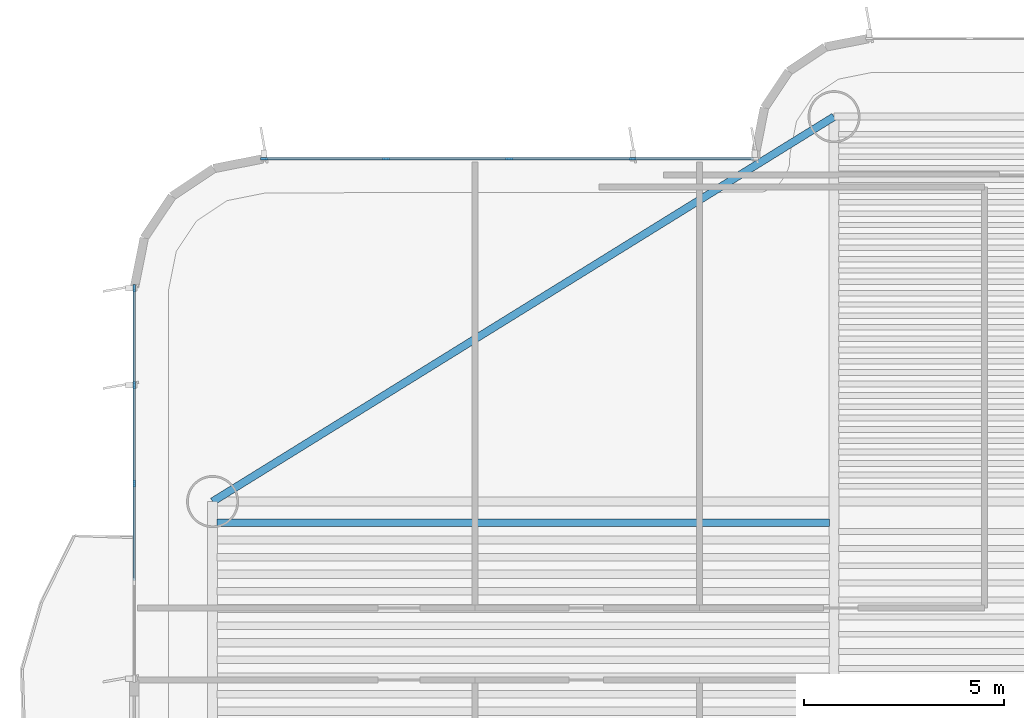
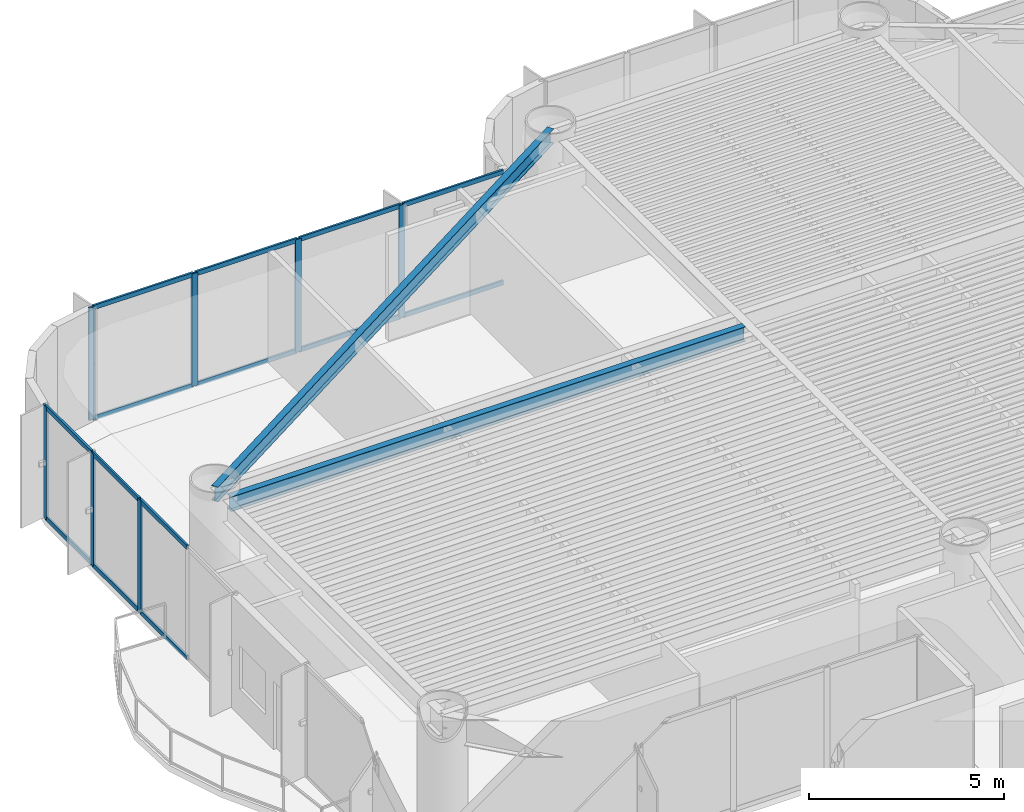
# One storey, part 5 of 16: 21 members, 2 beams, 2 elements without a shape of their own.
"""IFC4 building model written with IfcOpenShell, lengths in metres."""

import ifcopenshell
import ifcopenshell.guid

model = None  # the IFC model being written
_history = None  # IfcOwnerHistory: only IFC2X3 demands one
_inside = {}  # id of a spatial element -> (the spatial element, [elements in it])
_under = {}  # id of a project, library or spatial element -> (it, [spatial elements below it])
_declared = {}  # id of a project -> (the project, [libraries it declares])
_typed = {}  # id of a type object -> (the type object, [elements of that type])
_made_of = {}  # id of a material, layer set ... -> (it, [elements and type objects made of it])


def new_model(schema):
    """Start an empty IFC model of exactly this schema.

    Asked for "IFC4X3", IfcOpenShell would pick the latest addendum, in which some entities
    have other attributes; the version numbers below select the first issue.
    IFC2X3 requires an IfcOwnerHistory on every rooted entity: one is made here for all.
    """
    global model, _history
    if schema == "IFC4X3":
        model = ifcopenshell.file(schema_version=(4, 3, 0, 0))
    else:
        model = ifcopenshell.file(schema=schema)
    _inside.clear()
    _under.clear()
    _declared.clear()
    _typed.clear()
    _made_of.clear()
    _history = None
    if model.schema == "IFC2X3":
        org = make("IfcOrganization", Name="unknown")
        user = make(
            "IfcPersonAndOrganization",
            ThePerson=make("IfcPerson", FamilyName="unknown"),
            TheOrganization=org,
        )
        app = make(
            "IfcApplication",
            ApplicationDeveloper=org,
            Version="unknown",
            ApplicationFullName="unknown",
            ApplicationIdentifier="unknown",
        )
        _history = make(
            "IfcOwnerHistory",
            OwningUser=user,
            OwningApplication=app,
            ChangeAction="ADDED",
            CreationDate=0,
        )
    return model


def make(cls, **values):
    """One entity of the class cls with the attributes given. An attribute that is None is left unset."""
    return model.create_entity(
        cls, **{name: value for name, value in values.items() if value is not None}
    )


def rooted(cls, **values):
    """An entity with a GlobalId (a new one), such as an element, a storey or a relation."""
    return make(cls, GlobalId=ifcopenshell.guid.new(), OwnerHistory=_history, **values)


def si_unit(unit_type, name, prefix=None):
    """IfcSIUnit, for example si_unit("LENGTHUNIT", "METRE", prefix="MILLI")."""
    return make("IfcSIUnit", UnitType=unit_type, Prefix=prefix, Name=name)


def assignment(units):
    """IfcUnitAssignment: the units of a project."""
    return None if units is None else make("IfcUnitAssignment", Units=units)


def point(xyz):
    """IfcCartesianPoint."""
    return None if xyz is None else make("IfcCartesianPoint", Coordinates=xyz)


def direction(xyz):
    """IfcDirection."""
    return None if xyz is None else make("IfcDirection", DirectionRatios=xyz)


def frame(location, z_axis=None, x_axis=None):
    """IfcAxis2Placement3D, a coordinate frame: its origin and axes. An axis left out is left unset."""
    return make(
        "IfcAxis2Placement3D",
        Location=point(location),
        Axis=direction(z_axis),
        RefDirection=direction(x_axis),
    )


def frame_2d(location, x_axis=None):
    """IfcAxis2Placement2D, a coordinate frame in the plane: its origin and x axis."""
    return make(
        "IfcAxis2Placement2D", Location=point(location), RefDirection=direction(x_axis)
    )


def origin():
    """The frame at (0, 0, 0) with its axes left unset."""
    return frame((0.0, 0.0, 0.0))


def origin_2d():
    """The frame at (0, 0) in the plane with its x axis left unset."""
    return frame_2d((0.0, 0.0))


def place(relative_to, where):
    """IfcLocalPlacement: puts the frame where relative to a parent placement (None: the world)."""
    return make(
        "IfcLocalPlacement", PlacementRelTo=relative_to, RelativePlacement=where
    )


def context(
    kind, dimensions, precision=None, world=None, true_north=None, identifier=None
):
    """IfcGeometricRepresentationContext, for example the 3D "Model" context."""
    return make(
        "IfcGeometricRepresentationContext",
        ContextIdentifier=identifier,
        ContextType=kind,
        CoordinateSpaceDimension=dimensions,
        Precision=precision,
        WorldCoordinateSystem=world,
        TrueNorth=true_north,
    )


def subcontext(parent, identifier, kind, view, scale=None):
    """IfcGeometricRepresentationSubContext, for example "Body" below "Model"."""
    return make(
        "IfcGeometricRepresentationSubContext",
        ContextIdentifier=identifier,
        ContextType=kind,
        ParentContext=parent,
        TargetScale=scale,
        TargetView=view,
    )


def project(units=None, contexts=None):
    """IfcProject with its units and contexts."""
    return rooted(
        "IfcProject",
        Name="project",
        RepresentationContexts=contexts,
        UnitsInContext=assignment(units),
    )


def spatial(cls, under=None, at=None, **own):
    """A site, building, storey or space (cls), placed at a placement, below another one or the project."""
    s = rooted(cls, ObjectPlacement=at, **own)
    if under is not None:
        _under.setdefault(under.id(), (under, []))[1].append(s)
    return s


def profile(cls, at=None, kind="AREA", **sizes):
    """A parametric profile (cls). Its sizes go by their IFC names, for example OverallWidth=200.0."""
    return make(cls, ProfileType=kind, Position=at, **sizes)


def rectangle(**sizes):
    """IfcRectangleProfileDef."""
    return profile("IfcRectangleProfileDef", **sizes)


def i_section(**sizes):
    """IfcIShapeProfileDef."""
    return profile("IfcIShapeProfileDef", **sizes)


def extrude(swept, where, along, depth):
    """IfcExtrudedAreaSolid: the profile swept, set in the frame where, extruded along a direction by depth."""
    return make(
        "IfcExtrudedAreaSolid",
        SweptArea=swept,
        Position=where,
        ExtrudedDirection=direction(along),
        Depth=depth,
    )


def shape(context_of_items, identifier, shape_type, items):
    """IfcShapeRepresentation: the items that make up one representation, for example the "Body"."""
    return make(
        "IfcShapeRepresentation",
        ContextOfItems=context_of_items,
        RepresentationIdentifier=identifier,
        RepresentationType=shape_type,
        Items=items,
    )


def source(mapping_origin, context_of_items, identifier, shape_type, items):
    """IfcRepresentationMap: a shape defined once, which mapped items show again and again."""
    return make(
        "IfcRepresentationMap",
        MappingOrigin=mapping_origin,
        MappedRepresentation=shape(context_of_items, identifier, shape_type, items),
    )


def transform(
    local_origin,
    x_axis=None,
    y_axis=None,
    z_axis=None,
    scale=None,
    scale2=None,
    scale3=None,
    uniform=True,
):
    """IfcCartesianTransformationOperator3D, or its non-uniform kind. x_axis, y_axis, z_axis: its Axis1, 2, 3."""
    if uniform:
        return make(
            "IfcCartesianTransformationOperator3D",
            Axis1=direction(x_axis),
            Axis2=direction(y_axis),
            LocalOrigin=point(local_origin),
            Scale=scale,
            Axis3=direction(z_axis),
        )
    return make(
        "IfcCartesianTransformationOperator3DnonUniform",
        Axis1=direction(x_axis),
        Axis2=direction(y_axis),
        LocalOrigin=point(local_origin),
        Scale=scale,
        Axis3=direction(z_axis),
        Scale2=scale2,
        Scale3=scale3,
    )


def mapped(mapping_source, mapping_target):
    """IfcMappedItem: shows the shape of a source again, moved by a transform."""
    return make(
        "IfcMappedItem", MappingSource=mapping_source, MappingTarget=mapping_target
    )


def material(Name=None, Category=None):
    """IfcMaterial."""
    return make("IfcMaterial", Name=Name, Category=Category)


def layer(
    of_material, thickness, ventilated=None, Name=None, Category=None, Priority=None
):
    """IfcMaterialLayer: one layer of a wall or slab, of a material (None: an air gap)."""
    return make(
        "IfcMaterialLayer",
        Material=of_material,
        LayerThickness=thickness,
        IsVentilated=ventilated,
        Name=Name,
        Category=Category,
        Priority=Priority,
    )


def layer_set(layers, Name=None):
    """IfcMaterialLayerSet."""
    return make("IfcMaterialLayerSet", MaterialLayers=layers, LayerSetName=Name)


def material_profile(
    of_material, cross_section, Name=None, Category=None, Priority=None
):
    """IfcMaterialProfile: a cross section and its material."""
    return make(
        "IfcMaterialProfile",
        Name=Name,
        Material=of_material,
        Profile=cross_section,
        Priority=Priority,
        Category=Category,
    )


def profile_set(profiles, Name=None, composite=None):
    """IfcMaterialProfileSet."""
    return make(
        "IfcMaterialProfileSet",
        Name=Name,
        MaterialProfiles=profiles,
        CompositeProfile=composite,
    )


def made_of(thing, what):
    """Note that an element or type object is made of a material, layer set ...; save() writes the relation."""
    if what is not None:
        _made_of.setdefault(what.id(), (what, []))[1].append(thing)
    return thing


def type_object(cls, material=None, **own):
    """A type object (cls), such as IfcWallType, which elements share."""
    return made_of(rooted(cls, **own), material)


def element(
    cls,
    number,
    at=None,
    inside=None,
    cuts=None,
    type_object=None,
    material=None,
    context=None,
    identifier="Body",
    shape_type=None,
    held_by="IfcProductDefinitionShape",
    body=None,
    shapes=None,
    **own,
):
    """One element of the class cls, such as IfcWall. Its Tag is "e" and its number.

    at: its placement. inside: the storey or other place that contains it. cuts: it is an
    opening in that element (IfcRelVoidsElement). A single representation is given by context,
    identifier, shape_type and body (its items); several are given by shapes. held_by: the class
    of the entity that holds the representations. save() writes the other relations.
    """
    e = rooted(cls, Tag="e%d" % number, ObjectPlacement=at, **own)
    if body is not None:
        shapes = [shape(context, identifier, shape_type, body)]
    if shapes is not None:
        e.Representation = make(held_by, Representations=shapes)
    if inside is not None:
        _inside.setdefault(inside.id(), (inside, []))[1].append(e)
    if cuts is not None:
        rooted(
            "IfcRelVoidsElement", RelatingBuildingElement=cuts, RelatedOpeningElement=e
        )
    if type_object is not None:
        _typed.setdefault(type_object.id(), (type_object, []))[1].append(e)
    return made_of(e, material)


def aggregate(whole, parts):
    """IfcRelAggregates: a whole, such as a stair, and the parts it consists of."""
    return rooted("IfcRelAggregates", RelatingObject=whole, RelatedObjects=parts)


def save(model, path):
    """Write the relations noted so far, then the file.

    IfcRelAggregates (storeys below a building ...), IfcRelContainedInSpatialStructure (elements
    in a storey), IfcRelDefinesByType, IfcRelAssociatesMaterial and IfcRelDeclares: one each for
    every whole, place, type object, material and project.
    """
    for whole, parts in _under.values():
        aggregate(whole, parts)
    for where, things in _inside.values():
        rooted(
            "IfcRelContainedInSpatialStructure",
            RelatedElements=things,
            RelatingStructure=where,
        )
    for kind, things in _typed.values():
        rooted("IfcRelDefinesByType", RelatedObjects=things, RelatingType=kind)
    for what, things in _made_of.values():
        rooted("IfcRelAssociatesMaterial", RelatedObjects=things, RelatingMaterial=what)
    for by, libraries in _declared.values():
        rooted("IfcRelDeclares", RelatingContext=by, RelatedDefinitions=libraries)
    model.write(path)


model = new_model("IFC4")

# Units and contexts
model_context = context("Model", 3, precision=1e-05, world=origin(), true_north=direction((0.0, 1.0)))
body_context = subcontext(model_context, "Body", "Model", "MODEL_VIEW")
ifc_project = project(units=[si_unit("LENGTHUNIT", "METRE"), si_unit("AREAUNIT", "SQUARE_METRE"), si_unit("VOLUMEUNIT", "CUBIC_METRE"), si_unit("PLANEANGLEUNIT", "RADIAN"), si_unit("MASSUNIT", "GRAM", prefix="KILO")], contexts=[model_context])

# Site, building, storey
site_placement = place(None, origin())
site = spatial("IfcSite", under=ifc_project, at=site_placement, CompositionType="ELEMENT")
building_placement = place(site_placement, origin())
building = spatial("IfcBuilding", under=site, at=building_placement, Name="Brelvock Crest Care Tower", CompositionType="ELEMENT")
storey_placement = place(building_placement, frame((0.0, 0.0, 120.06005859375)))
storey = spatial("IfcBuildingStorey", under=building, at=storey_placement, Name="L30", CompositionType="ELEMENT", Elevation=120.06005859375)

# Beams
ifc_material_1 = material(Name="Steel Grade 350", Category="steel")
ifc_material_profile_1 = material_profile(ifc_material_1, i_section(OverallWidth=0.19091796875, OverallDepth=0.4599609375, WebThickness=0.010009765625, FlangeThickness=0.01611328125, FilletRadius=0.011474609375, at=origin_2d()), Name="460UB82.1")
ifc_profile_set_1 = profile_set([ifc_material_profile_1], Name="Steel Grade 350")
beam_type_1 = type_object("IfcBeamType", Name="BM-G3", PredefinedType="BEAM", material=ifc_profile_set_1)
shared_shape_1 = source(origin(), body_context, "Body", "SweptSolid", [
    extrude(i_section(OverallWidth=0.19091796875, OverallDepth=0.4599609375, WebThickness=0.010009765625, FlangeThickness=0.01611328125, FilletRadius=0.011474609375, at=origin_2d()), origin(), (0.0, 0.0, 1.0), 15.27001953125),
])
beam_1_placement = place(storey_placement, frame((15.965087890625, 38.317626953125, 3.300048828125), z_axis=(1.0, 0.0, 0.0), x_axis=(0.0, 1.0, 0.0)))
element("IfcBeam", 1, at=beam_1_placement, inside=storey, type_object=beam_type_1, Name="BM-JW-L30-26", PredefinedType="BEAM", context=body_context, shape_type="MappedRepresentation", body=[
    mapped(shared_shape_1, transform((0.0, 0.0, 0.0), x_axis=(1.0, 0.0, 0.0), y_axis=(0.0, 1.0, 0.0), z_axis=(0.0, 0.0, 1.0), scale=1.0)),
])
ifc_material_profile_2 = material_profile(ifc_material_1, i_section(OverallWidth=0.19091796875, OverallDepth=0.4599609375, WebThickness=0.010009765625, FlangeThickness=0.01611328125, FilletRadius=0.011474609375, at=origin_2d()), Name="460UB82.1")
ifc_profile_set_2 = profile_set([ifc_material_profile_2], Name="Steel Grade 350")
beam_type_2 = type_object("IfcBeamType", Name="BM-SP2", PredefinedType="SPANDREL", material=ifc_profile_set_2)
shared_shape_2 = source(origin(), body_context, "Body", "SweptSolid", [
    extrude(i_section(OverallWidth=0.19091796875, OverallDepth=0.4599609375, WebThickness=0.010009765625, FlangeThickness=0.01611328125, FilletRadius=0.011474609375, at=origin_2d()), origin(), (0.0, 0.0, 1.0), 18.23193359375),
])
beam_2_placement = place(storey_placement, frame((15.85009765625, 38.85009765625, 3.300048828125), z_axis=(0.85015183248, 0.526537616635, 0.0), x_axis=(-0.526537616635, 0.85015183248, 0.0)))
element("IfcBeam", 2, at=beam_2_placement, inside=storey, type_object=beam_type_2, Name="BM-TWR-L30-06", PredefinedType="SPANDREL", context=body_context, shape_type="MappedRepresentation", body=[
    mapped(shared_shape_2, transform((0.0, 0.0, 0.0), x_axis=(1.0, 0.0, 0.0), y_axis=(0.0, 1.0, 0.0), z_axis=(0.0, 0.0, 1.0), scale=1.0)),
])

# Curtain wall, members
ifc_material_2 = material(Name="Dark Glass Double Glazed Low-E", Category="glass")
ifc_layer = layer(ifc_material_2, 0.2099609375, Name="CWS-3")
ifc_layer_set = layer_set([ifc_layer], Name="Dark Glass Double Glazed Low-E")
curtain_wall_type = type_object("IfcCurtainWallType", Name="CWS-3", PredefinedType="NOTDEFINED", material=ifc_layer_set)
curtain_wall_1_placement = place(storey_placement, origin())
curtain_wall_1 = element("IfcCurtainWall", 3, at=curtain_wall_1_placement, inside=storey, type_object=curtain_wall_type, Name="L30 Curtain Wall E17B", PredefinedType="NOTDEFINED")
ifc_material_3 = material(Name="Aluminium 6063-T6", Category="aluminium")
ifc_material_profile_3 = material_profile(ifc_material_3, rectangle(XDim=0.06005859375, YDim=0.179931640625, at=origin_2d()), Name="ALU60x180")
ifc_profile_set_3 = profile_set([ifc_material_profile_3], Name="Aluminium 6063-T6")
member_type_1 = type_object("IfcMemberType", Name="CWM-2", PredefinedType="MULLION", material=ifc_profile_set_3)
shared_shape_3 = source(origin(), body_context, "Body", "SweptSolid", [
    extrude(rectangle(XDim=0.06005859375, YDim=0.179931640625, at=origin_2d()), origin(), (0.0, 0.0, 1.0), 3.530029296875),
])
member_1_placement = place(storey_placement, frame((13.89990234375, 39.300048828125, 0.0), z_axis=(0.0, 0.0, 1.0), x_axis=(-1.0, 0.0, 0.0)))
member_1 = element("IfcMember", 4, at=member_1_placement, type_object=member_type_1, Name="CW-3 mullion 3", PredefinedType="MULLION", context=body_context, shape_type="MappedRepresentation", body=[
    mapped(shared_shape_3, transform((0.0, 0.0, 0.0), x_axis=(1.0, 0.0, 0.0), y_axis=(0.0, 1.0, 0.0), z_axis=(0.0, 0.0, 1.0), scale=1.0)),
])
member_2_placement = place(storey_placement, frame((13.89990234375, 41.75, 0.0), z_axis=(0.0, 0.0, 1.0), x_axis=(-1.0, 0.0, 0.0)))
member_2 = element("IfcMember", 5, at=member_2_placement, type_object=member_type_1, Name="CW-3 mullion 4", PredefinedType="MULLION", context=body_context, shape_type="MappedRepresentation", body=[
    mapped(shared_shape_3, transform((0.0, 0.0, 0.0), x_axis=(1.0, 0.0, 0.0), y_axis=(0.0, 1.0, 0.0), z_axis=(0.0, 0.0, 1.0), scale=1.0)),
])
member_3_placement = place(storey_placement, frame((13.89990234375, 44.169921875, 0.0), z_axis=(0.0, 0.0, 1.0), x_axis=(-1.0, 0.0, 0.0)))
member_3 = element("IfcMember", 6, at=member_3_placement, type_object=member_type_1, Name="CW-3 mullion 5", PredefinedType="MULLION", context=body_context, shape_type="MappedRepresentation", body=[
    mapped(shared_shape_3, transform((0.0, 0.0, 0.0), x_axis=(1.0, 0.0, 0.0), y_axis=(0.0, 1.0, 0.0), z_axis=(0.0, 0.0, 1.0), scale=1.0)),
])

curtain_wall_2_placement = place(storey_placement, origin())
curtain_wall_2 = element("IfcCurtainWall", 7, at=curtain_wall_2_placement, inside=storey, type_object=curtain_wall_type, Name="L30 Curtain Wall E22", PredefinedType="NOTDEFINED")
member_4_placement = place(storey_placement, frame((17.1298828125, 47.39990234375, 0.0), z_axis=(0.0, 0.0, 1.0), x_axis=(0.0, 1.0, 0.0)))
member_4 = element("IfcMember", 8, at=member_4_placement, type_object=member_type_1, Name="CW-3 mullion 1", PredefinedType="MULLION", context=body_context, shape_type="MappedRepresentation", body=[
    mapped(shared_shape_3, transform((0.0, 0.0, 0.0), x_axis=(1.0, 0.0, 0.0), y_axis=(0.0, 1.0, 0.0), z_axis=(0.0, 0.0, 1.0), scale=1.0)),
])
member_5_placement = place(storey_placement, frame((20.175048828125, 47.39990234375, 0.0), z_axis=(0.0, 0.0, 1.0), x_axis=(0.0, 1.0, 0.0)))
member_5 = element("IfcMember", 9, at=member_5_placement, type_object=member_type_1, Name="CW-3 mullion 2", PredefinedType="MULLION", context=body_context, shape_type="MappedRepresentation", body=[
    mapped(shared_shape_3, transform((0.0, 0.0, 0.0), x_axis=(1.0, 0.0, 0.0), y_axis=(0.0, 1.0, 0.0), z_axis=(0.0, 0.0, 1.0), scale=1.0)),
])
member_6_placement = place(storey_placement, frame((23.25, 47.39990234375, 0.0), z_axis=(0.0, 0.0, 1.0), x_axis=(0.0, 1.0, 0.0)))
member_6 = element("IfcMember", 10, at=member_6_placement, type_object=member_type_1, Name="CW-3 mullion 3", PredefinedType="MULLION", context=body_context, shape_type="MappedRepresentation", body=[
    mapped(shared_shape_3, transform((0.0, 0.0, 0.0), x_axis=(1.0, 0.0, 0.0), y_axis=(0.0, 1.0, 0.0), z_axis=(0.0, 0.0, 1.0), scale=1.0)),
])
member_7_placement = place(storey_placement, frame((26.324951171875, 47.39990234375, 0.0), z_axis=(0.0, 0.0, 1.0), x_axis=(0.0, 1.0, 0.0)))
member_7 = element("IfcMember", 11, at=member_7_placement, type_object=member_type_1, Name="CW-3 mullion 4", PredefinedType="MULLION", context=body_context, shape_type="MappedRepresentation", body=[
    mapped(shared_shape_3, transform((0.0, 0.0, 0.0), x_axis=(1.0, 0.0, 0.0), y_axis=(0.0, 1.0, 0.0), z_axis=(0.0, 0.0, 1.0), scale=1.0)),
])
ifc_material_profile_4 = material_profile(ifc_material_3, rectangle(XDim=0.06005859375, YDim=0.139892578125, at=origin_2d()), Name="ALU60x140")
ifc_profile_set_4 = profile_set([ifc_material_profile_4], Name="Aluminium 6063-T6")
member_type_2 = type_object("IfcMemberType", Name="CWT-2", PredefinedType="USERDEFINED", material=ifc_profile_set_4)
shared_shape_4 = source(origin(), body_context, "Body", "SweptSolid", [
    extrude(rectangle(XDim=0.06005859375, YDim=0.139892578125, at=origin_2d()), origin(), (0.0, 0.0, 1.0), 2.985107421875),
])
member_8_placement = place(storey_placement, frame((17.159912109375, 47.39990234375, 0.030029296875), z_axis=(1.0, 0.0, 0.0), x_axis=(0.0, 1.0, 0.0)))
member_8 = element("IfcMember", 12, at=member_8_placement, type_object=member_type_2, Name="CW-3 transom 1.1", ObjectType="TRANSOM", PredefinedType="USERDEFINED", context=body_context, shape_type="MappedRepresentation", body=[
    mapped(shared_shape_4, transform((0.0, 0.0, 0.0), x_axis=(1.0, 0.0, 0.0), y_axis=(0.0, 1.0, 0.0), z_axis=(0.0, 0.0, 1.0), scale=1.0)),
])
member_9_placement = place(storey_placement, frame((17.159912109375, 47.39990234375, 3.5), z_axis=(1.0, 0.0, 0.0), x_axis=(0.0, 1.0, 0.0)))
member_9 = element("IfcMember", 13, at=member_9_placement, type_object=member_type_2, Name="CW-3 transom 1.2", ObjectType="TRANSOM", PredefinedType="USERDEFINED", context=body_context, shape_type="MappedRepresentation", body=[
    mapped(shared_shape_4, transform((0.0, 0.0, 0.0), x_axis=(1.0, 0.0, 0.0), y_axis=(0.0, 1.0, 0.0), z_axis=(0.0, 0.0, 1.0), scale=1.0)),
])
member_10_placement = place(storey_placement, frame((26.35498046875, 47.39990234375, 0.030029296875), z_axis=(1.0, 0.0, 0.0), x_axis=(0.0, 1.0, 0.0)))
member_10 = element("IfcMember", 14, at=member_10_placement, type_object=member_type_2, Name="CW-3 transom 4.1", ObjectType="TRANSOM", PredefinedType="USERDEFINED", context=body_context, shape_type="MappedRepresentation", body=[
    mapped(shared_shape_4, transform((0.0, 0.0, 0.0), x_axis=(1.0, 0.0, 0.0), y_axis=(0.0, 1.0, 0.0), z_axis=(0.0, 0.0, 1.0), scale=1.0)),
])
member_11_placement = place(storey_placement, frame((26.35498046875, 47.39990234375, 3.5), z_axis=(1.0, 0.0, 0.0), x_axis=(0.0, 1.0, 0.0)))
member_11 = element("IfcMember", 15, at=member_11_placement, type_object=member_type_2, Name="CW-3 transom 4.2", ObjectType="TRANSOM", PredefinedType="USERDEFINED", context=body_context, shape_type="MappedRepresentation", body=[
    mapped(shared_shape_4, transform((0.0, 0.0, 0.0), x_axis=(1.0, 0.0, 0.0), y_axis=(0.0, 1.0, 0.0), z_axis=(0.0, 0.0, 1.0), scale=1.0)),
])
shared_shape_5 = source(origin(), body_context, "Body", "SweptSolid", [
    extrude(rectangle(XDim=0.06005859375, YDim=0.139892578125, at=origin_2d()), origin(), (0.0, 0.0, 1.0), 3.014892578125),
])
member_12_placement = place(storey_placement, frame((20.205078125, 47.39990234375, 0.030029296875), z_axis=(1.0, 0.0, 0.0), x_axis=(0.0, 1.0, 0.0)))
member_12 = element("IfcMember", 16, at=member_12_placement, type_object=member_type_2, Name="CW-3 transom 2.1", ObjectType="TRANSOM", PredefinedType="USERDEFINED", context=body_context, shape_type="MappedRepresentation", body=[
    mapped(shared_shape_5, transform((0.0, 0.0, 0.0), x_axis=(1.0, 0.0, 0.0), y_axis=(0.0, 1.0, 0.0), z_axis=(0.0, 0.0, 1.0), scale=1.0)),
])
member_13_placement = place(storey_placement, frame((20.205078125, 47.39990234375, 3.5), z_axis=(1.0, 0.0, 0.0), x_axis=(0.0, 1.0, 0.0)))
member_13 = element("IfcMember", 17, at=member_13_placement, type_object=member_type_2, Name="CW-3 transom 2.2", ObjectType="TRANSOM", PredefinedType="USERDEFINED", context=body_context, shape_type="MappedRepresentation", body=[
    mapped(shared_shape_5, transform((0.0, 0.0, 0.0), x_axis=(1.0, 0.0, 0.0), y_axis=(0.0, 1.0, 0.0), z_axis=(0.0, 0.0, 1.0), scale=1.0)),
])
member_14_placement = place(storey_placement, frame((23.280029296875, 47.39990234375, 0.030029296875), z_axis=(1.0, 0.0, 0.0), x_axis=(0.0, 1.0, 0.0)))
member_14 = element("IfcMember", 18, at=member_14_placement, type_object=member_type_2, Name="CW-3 transom 3.1", ObjectType="TRANSOM", PredefinedType="USERDEFINED", context=body_context, shape_type="MappedRepresentation", body=[
    mapped(shared_shape_5, transform((0.0, 0.0, 0.0), x_axis=(1.0, 0.0, 0.0), y_axis=(0.0, 1.0, 0.0), z_axis=(0.0, 0.0, 1.0), scale=1.0)),
])
member_15_placement = place(storey_placement, frame((23.280029296875, 47.39990234375, 3.5), z_axis=(1.0, 0.0, 0.0), x_axis=(0.0, 1.0, 0.0)))
member_15 = element("IfcMember", 19, at=member_15_placement, type_object=member_type_2, Name="CW-3 transom 3.2", ObjectType="TRANSOM", PredefinedType="USERDEFINED", context=body_context, shape_type="MappedRepresentation", body=[
    mapped(shared_shape_5, transform((0.0, 0.0, 0.0), x_axis=(1.0, 0.0, 0.0), y_axis=(0.0, 1.0, 0.0), z_axis=(0.0, 0.0, 1.0), scale=1.0)),
])
aggregate(curtain_wall_2, [member_4, member_5, member_6, member_7, member_8, member_9, member_12, member_13, member_14, member_15, member_10, member_11])

# Member
shared_shape_6 = source(origin(), body_context, "Body", "SweptSolid", [
    extrude(rectangle(XDim=0.06005859375, YDim=0.139892578125, at=origin_2d()), origin(), (0.0, 0.0, 1.0), 2.39013671875),
])
member_16_placement = place(storey_placement, frame((13.89990234375, 36.8798828125, 0.030029296875), z_axis=(0.0, 1.0, 0.0), x_axis=(-1.0, 0.0, 0.0)))
member_16 = element("IfcMember", 20, at=member_16_placement, type_object=member_type_2, Name="CW-3 transom 2.1", ObjectType="TRANSOM", PredefinedType="USERDEFINED", context=body_context, shape_type="MappedRepresentation", body=[
    mapped(shared_shape_6, transform((0.0, 0.0, 0.0), x_axis=(1.0, 0.0, 0.0), y_axis=(0.0, 1.0, 0.0), z_axis=(0.0, 0.0, 1.0), scale=1.0)),
])

member_17_placement = place(storey_placement, frame((13.89990234375, 36.8798828125, 3.5), z_axis=(0.0, 1.0, 0.0), x_axis=(-1.0, 0.0, 0.0)))
member_17 = element("IfcMember", 21, at=member_17_placement, type_object=member_type_2, Name="CW-3 transom 2.2", ObjectType="TRANSOM", PredefinedType="USERDEFINED", context=body_context, shape_type="MappedRepresentation", body=[
    mapped(shared_shape_6, transform((0.0, 0.0, 0.0), x_axis=(1.0, 0.0, 0.0), y_axis=(0.0, 1.0, 0.0), z_axis=(0.0, 0.0, 1.0), scale=1.0)),
])

shared_shape_7 = source(origin(), body_context, "Body", "SweptSolid", [
    extrude(rectangle(XDim=0.06005859375, YDim=0.139892578125, at=origin_2d()), origin(), (0.0, 0.0, 1.0), 2.389892578125),
])
member_18_placement = place(storey_placement, frame((13.89990234375, 39.330078125, 0.030029296875), z_axis=(0.0, 1.0, 0.0), x_axis=(-1.0, 0.0, 0.0)))
member_18 = element("IfcMember", 22, at=member_18_placement, type_object=member_type_2, Name="CW-3 transom 3.1", ObjectType="TRANSOM", PredefinedType="USERDEFINED", context=body_context, shape_type="MappedRepresentation", body=[
    mapped(shared_shape_7, transform((0.0, 0.0, 0.0), x_axis=(1.0, 0.0, 0.0), y_axis=(0.0, 1.0, 0.0), z_axis=(0.0, 0.0, 1.0), scale=1.0)),
])

member_19_placement = place(storey_placement, frame((13.89990234375, 39.330078125, 3.5), z_axis=(0.0, 1.0, 0.0), x_axis=(-1.0, 0.0, 0.0)))
member_19 = element("IfcMember", 23, at=member_19_placement, type_object=member_type_2, Name="CW-3 transom 3.2", ObjectType="TRANSOM", PredefinedType="USERDEFINED", context=body_context, shape_type="MappedRepresentation", body=[
    mapped(shared_shape_7, transform((0.0, 0.0, 0.0), x_axis=(1.0, 0.0, 0.0), y_axis=(0.0, 1.0, 0.0), z_axis=(0.0, 0.0, 1.0), scale=1.0)),
])

shared_shape_8 = source(origin(), body_context, "Body", "SweptSolid", [
    extrude(rectangle(XDim=0.06005859375, YDim=0.139892578125, at=origin_2d()), origin(), (0.0, 0.0, 1.0), 2.35986328125),
])
member_20_placement = place(storey_placement, frame((13.89990234375, 41.780029296875, 0.030029296875), z_axis=(0.0, 1.0, 0.0), x_axis=(-1.0, 0.0, 0.0)))
member_20 = element("IfcMember", 24, at=member_20_placement, type_object=member_type_2, Name="CW-3 transom 4.1", ObjectType="TRANSOM", PredefinedType="USERDEFINED", context=body_context, shape_type="MappedRepresentation", body=[
    mapped(shared_shape_8, transform((0.0, 0.0, 0.0), x_axis=(1.0, 0.0, 0.0), y_axis=(0.0, 1.0, 0.0), z_axis=(0.0, 0.0, 1.0), scale=1.0)),
])

member_21_placement = place(storey_placement, frame((13.89990234375, 41.780029296875, 3.5), z_axis=(0.0, 1.0, 0.0), x_axis=(-1.0, 0.0, 0.0)))
member_21 = element("IfcMember", 25, at=member_21_placement, type_object=member_type_2, Name="CW-3 transom 4.2", ObjectType="TRANSOM", PredefinedType="USERDEFINED", context=body_context, shape_type="MappedRepresentation", body=[
    mapped(shared_shape_8, transform((0.0, 0.0, 0.0), x_axis=(1.0, 0.0, 0.0), y_axis=(0.0, 1.0, 0.0), z_axis=(0.0, 0.0, 1.0), scale=1.0)),
])

aggregate(curtain_wall_1, [member_1, member_2, member_3, member_16, member_17, member_18, member_19, member_20, member_21])

save(model, "model.ifc")
